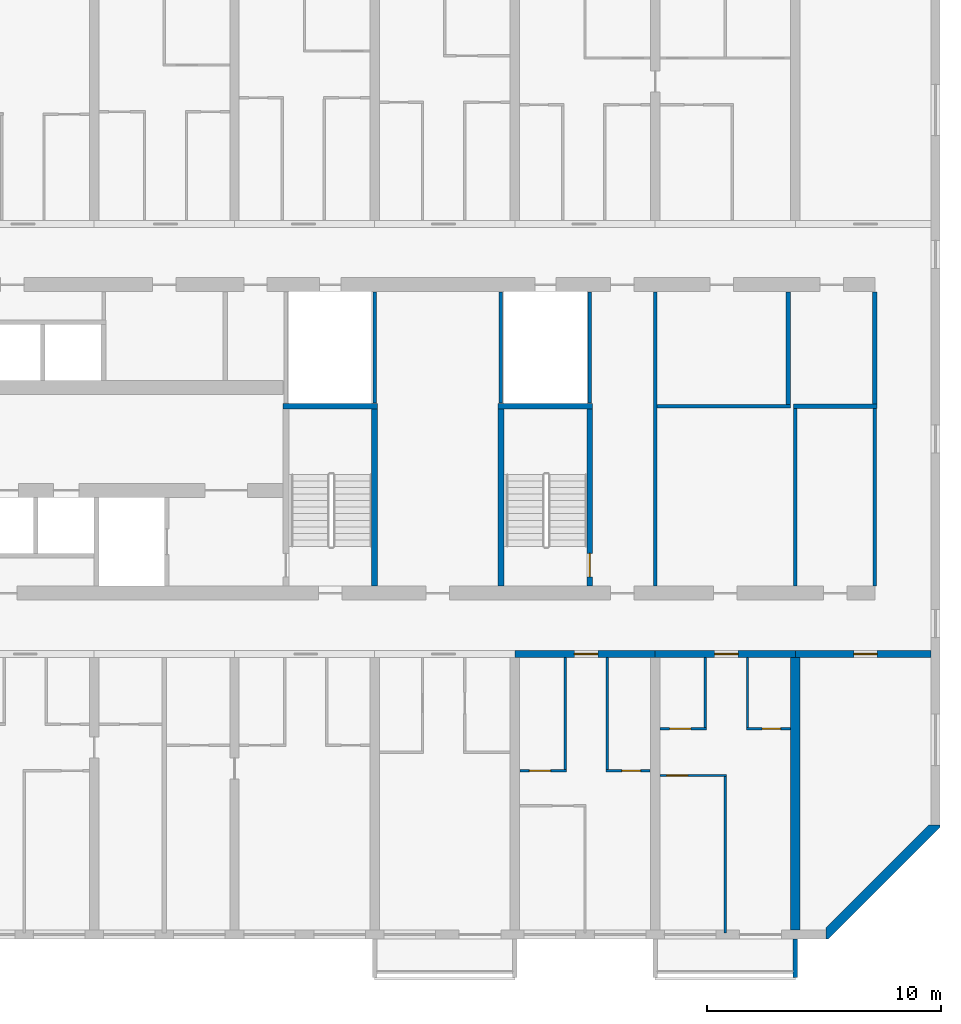
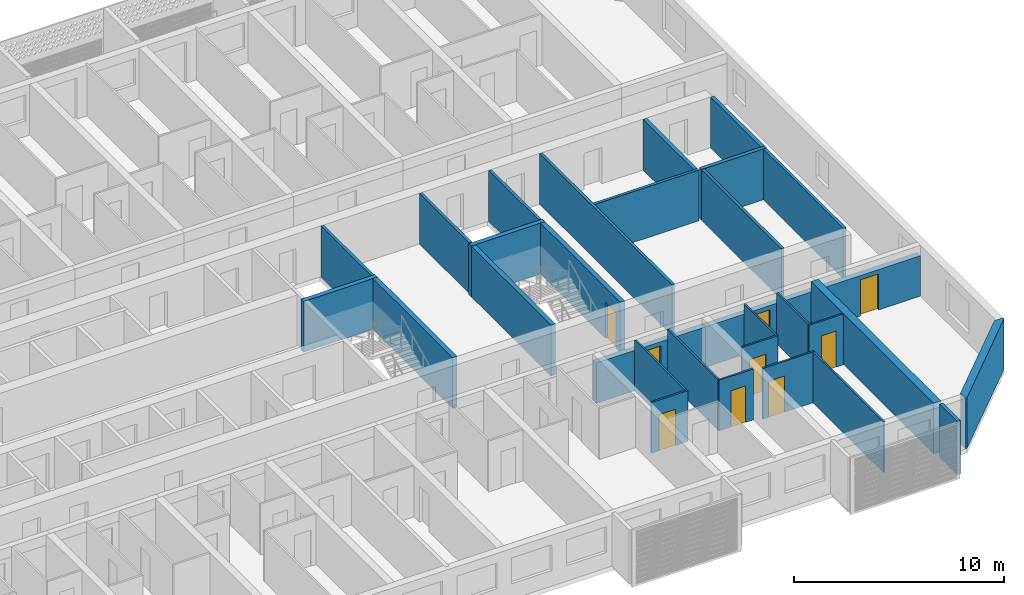
# One storey, part 14 of 39: 31 walls, 9 doors, 9 openings.
"""IFC4 building model written with IfcOpenShell, lengths in metres."""

from ifc_helpers import new_model, si_unit, direction, frame, frame_2d, origin, place, context, subcontext, project, spatial, polyline, rectangle, outline, extrude, source, transform, mapped, material, layer, layer_set, type_object, element, fill, save


model = new_model("IFC4")

# Units and contexts
model_context = context("Model", 3, precision=1e-05, world=origin(), true_north=direction((0.0, 1.0)))
body_context = subcontext(model_context, "Body", "Model", "MODEL_VIEW")
ifc_project = project(units=[si_unit("LENGTHUNIT", "METRE"), si_unit("AREAUNIT", "SQUARE_METRE"), si_unit("VOLUMEUNIT", "CUBIC_METRE"), si_unit("PLANEANGLEUNIT", "RADIAN"), si_unit("MASSUNIT", "GRAM", prefix="KILO")], contexts=[model_context])

# Site, building, storey
site_placement = place(None, origin())
site = spatial("IfcSite", under=ifc_project, at=site_placement, CompositionType="ELEMENT")
building_placement = place(site_placement, origin())
building = spatial("IfcBuilding", under=site, at=building_placement, Name="Poui Terraces", CompositionType="ELEMENT")
storey_placement = place(building_placement, frame((0.0, 0.0, 63.0)))
storey = spatial("IfcBuildingStorey", under=building, at=storey_placement, Name="L17", CompositionType="ELEMENT", Elevation=63.0)

# Walls
ifc_material_1 = material(Name="Fire-rated plasterboard wall")
ifc_layer_1 = layer(ifc_material_1, 0.14990234375)
ifc_layer_set_1 = layer_set([ifc_layer_1], Name="Fire-rated plasterboard wall")
wall_type_1 = type_object("IfcWallType", Name="CORRIDOR WALL 150", PredefinedType="PARTITIONING", material=ifc_layer_set_1)
wall_1_placement = place(storey_placement, frame((84.0, 14.909912109375, 0.0), z_axis=(0.0, 0.0, 1.0), x_axis=(0.0, 1.0, 0.0)))
element("IfcWall", 1, at=wall_1_placement, inside=storey, type_object=wall_type_1, Name="CORRIDOR WALL 150", PredefinedType="PARTITIONING", context=body_context, shape_type="SweptSolid", body=[
    extrude(rectangle(XDim=12.580078125, YDim=0.14990234375, at=frame_2d((6.2900390625, 0.0))), origin(), (0.0, 0.0, 1.0), 2.949951171875),
])
wall_2_placement = place(storey_placement, frame((93.39990234375, 14.909912109375, 0.0), z_axis=(0.0, 0.0, 1.0), x_axis=(0.0, 1.0, 0.0)))
element("IfcWall", 2, at=wall_2_placement, inside=storey, type_object=wall_type_1, Name="CORRIDOR WALL 150", PredefinedType="PARTITIONING", context=body_context, shape_type="SweptSolid", body=[
    extrude(rectangle(XDim=7.590087890625, YDim=0.14990234375, at=frame_2d((3.794921875, 0.0))), origin(), (0.0, 0.0, 1.0), 2.949951171875),
])

# Wall, opening, door
ifc_material_2 = material(Name="Concrete 80 MPa", Category="concrete")
ifc_layer_2 = layer(ifc_material_2, 0.300048828125)
ifc_layer_set_2 = layer_set([ifc_layer_2], Name="Concrete 80 MPa")
wall_type_2 = type_object("IfcWallType", Name="CORRIDOR WALL 300 80MPa", PredefinedType="SHEAR", material=ifc_layer_set_2)
wall_3_placement = place(storey_placement, frame((78.0, 12.0, 0.0), z_axis=(0.0, 0.0, 1.0), x_axis=(1.0, 0.0, 0.0)))
wall_3 = element("IfcWall", 3, at=wall_3_placement, inside=storey, type_object=wall_type_2, Name="CORRIDOR WALL LINE B BAY 13", PredefinedType="SHEAR", context=body_context, shape_type="SweptSolid", body=[
    extrude(rectangle(XDim=6.0, YDim=0.300048828125, at=frame_2d((3.0, 0.0))), origin(), (0.0, 0.0, 1.0), 2.35009765625),
])
opening_1_placement = place(wall_3_placement, frame((2.550048828125, 0.0, 0.0)))
opening_1 = element("IfcOpeningElement", 4, at=opening_1_placement, cuts=wall_3, Name="Opening FD30S", PredefinedType="OPENING", context=body_context, shape_type="SweptSolid", body=[
    extrude(rectangle(XDim=1.0, YDim=2.10009765625, at=frame_2d((0.5, 1.050048828125))), frame((0.0, 0.16015625, 0.0), z_axis=(0.0, -1.0, 0.0), x_axis=(1.0, 0.0, 0.0)), (0.0, 0.0, 1.0), 0.320068359375),
])
ifc_material_3 = material(Name="Steel fire door", Category="steel")
door_type_1 = type_object("IfcDoorType", Name="FLAT ENTRANCE DOOR 1000 X 2100", OperationType="NOTDEFINED", PredefinedType="DOOR", material=ifc_material_3)
door_1_placement = place(opening_1_placement, frame((1.0, 0.0, 0.0), z_axis=(0.0, 0.0, 1.0), x_axis=(-1.0, 0.0, 0.0)))
door_1 = element("IfcDoor", 5, at=door_1_placement, inside=storey, type_object=door_type_1, Name="FLAT ENTRANCE DOOR 128", OperationType="SINGLE_SWING_LEFT", OverallHeight=2.10009765625, OverallWidth=1.0, PredefinedType="DOOR", context=body_context, shape_type="SweptSolid", body=[
    extrude(rectangle(XDim=1.0, YDim=2.10009765625, at=frame_2d((0.5, 1.050048828125))), frame((0.0, 0.02490234375, 0.0), z_axis=(0.0, -1.0, 0.0), x_axis=(1.0, 0.0, 0.0)), (0.0, 0.0, 1.0), 0.050048828125),
])
fill(opening_1, door_1)

wall_4_placement = place(storey_placement, frame((84.0, 12.0, 0.0), z_axis=(0.0, 0.0, 1.0), x_axis=(1.0, 0.0, 0.0)))
wall_4 = element("IfcWall", 6, at=wall_4_placement, inside=storey, type_object=wall_type_2, Name="CORRIDOR WALL LINE B BAY 14", PredefinedType="SHEAR", context=body_context, shape_type="SweptSolid", body=[
    extrude(rectangle(XDim=6.0, YDim=0.300048828125, at=frame_2d((3.0, 0.0))), origin(), (0.0, 0.0, 1.0), 2.35009765625),
])
opening_2_placement = place(wall_4_placement, frame((2.550048828125, 0.0, 0.0)))
opening_2 = element("IfcOpeningElement", 7, at=opening_2_placement, cuts=wall_4, Name="Opening FD30S", PredefinedType="OPENING", context=body_context, shape_type="SweptSolid", body=[
    extrude(rectangle(XDim=1.0, YDim=2.10009765625, at=frame_2d((0.5, 1.050048828125))), frame((0.0, 0.16015625, 0.0), z_axis=(0.0, -1.0, 0.0), x_axis=(1.0, 0.0, 0.0)), (0.0, 0.0, 1.0), 0.320068359375),
])
door_2_placement = place(opening_2_placement, frame((1.0, 0.0, 0.0), z_axis=(0.0, 0.0, 1.0), x_axis=(-1.0, 0.0, 0.0)))
door_2 = element("IfcDoor", 8, at=door_2_placement, inside=storey, type_object=door_type_1, Name="FLAT ENTRANCE DOOR 132", OperationType="SINGLE_SWING_LEFT", OverallHeight=2.10009765625, OverallWidth=1.0, PredefinedType="DOOR", context=body_context, shape_type="SweptSolid", body=[
    extrude(rectangle(XDim=1.0, YDim=2.10009765625, at=frame_2d((0.5, 1.050048828125))), frame((0.0, 0.02490234375, 0.0), z_axis=(0.0, -1.0, 0.0), x_axis=(1.0, 0.0, 0.0)), (0.0, 0.0, 1.0), 0.050048828125),
])
fill(opening_2, door_2)

wall_5_placement = place(storey_placement, frame((90.0, 12.0, 0.0), z_axis=(0.0, 0.0, 1.0), x_axis=(1.0, 0.0, 0.0)))
wall_5 = element("IfcWall", 9, at=wall_5_placement, inside=storey, type_object=wall_type_2, Name="CORRIDOR WALL LINE B BAY 15", PredefinedType="SHEAR", context=body_context, shape_type="SweptSolid", body=[
    extrude(rectangle(XDim=5.800048828125, YDim=0.300048828125, at=frame_2d((2.89990234375, 0.0))), origin(), (0.0, 0.0, 1.0), 2.35009765625),
])
opening_3_placement = place(wall_5_placement, frame((2.5, 0.0, 0.0)))
opening_3 = element("IfcOpeningElement", 10, at=opening_3_placement, cuts=wall_5, Name="Opening D100", PredefinedType="OPENING", context=body_context, shape_type="SweptSolid", body=[
    extrude(rectangle(XDim=1.0, YDim=2.10009765625, at=frame_2d((0.5, 1.050048828125))), frame((0.0, 0.16015625, 0.0), z_axis=(0.0, -1.0, 0.0), x_axis=(1.0, 0.0, 0.0)), (0.0, 0.0, 1.0), 0.320068359375),
])
ifc_material_4 = material(Name="Solid core timber door", Category="wood")
door_type_2 = type_object("IfcDoorType", Name="ACCESSIBLE INTERNAL DOOR 1000 X 2100", OperationType="NOTDEFINED", PredefinedType="DOOR", material=ifc_material_4)
door_3_placement = place(opening_3_placement, frame((1.0, 0.0, 0.0), z_axis=(0.0, 0.0, 1.0), x_axis=(-1.0, 0.0, 0.0)))
door_3 = element("IfcDoor", 11, at=door_3_placement, inside=storey, type_object=door_type_2, Name="ACCESSIBLE INTERNAL DOOR 134", OperationType="SINGLE_SWING_RIGHT", OverallHeight=2.10009765625, OverallWidth=1.0, PredefinedType="DOOR", context=body_context, shape_type="SweptSolid", body=[
    extrude(rectangle(XDim=1.0, YDim=2.10009765625, at=frame_2d((0.5, 1.050048828125))), frame((0.0, 0.02490234375, 0.0), z_axis=(0.0, -1.0, 0.0), x_axis=(1.0, 0.0, 0.0)), (0.0, 0.0, 1.0), 0.050048828125),
])
fill(opening_3, door_3)

# Wall
ifc_layer_3 = layer(ifc_material_2, 0.39990234375)
ifc_layer_set_3 = layer_set([ifc_layer_3], Name="Concrete 80 MPa")
wall_type_3 = type_object("IfcWallType", Name="CROSS WALL 400 80MPa", PredefinedType="SHEAR", material=ifc_layer_set_3)
wall_6_placement = place(storey_placement, frame((90.0, 0.199951171875, 0.0), z_axis=(0.0, 0.0, 1.0), x_axis=(0.0, 1.0, 0.0)))
element("IfcWall", 12, at=wall_6_placement, inside=storey, type_object=wall_type_3, Name="CROSS WALL LINE 16 SOUTH", PredefinedType="SHEAR", context=body_context, shape_type="SweptSolid", body=[
    extrude(rectangle(XDim=11.650146484375, YDim=0.39990234375, at=frame_2d((5.8251953125, 0.0))), origin(), (0.0, 0.0, 1.0), 2.949951171875),
])

# Wall, opening, door
ifc_material_5 = material(Name="Plasterboard partition")
ifc_layer_4 = layer(ifc_material_5, 0.10009765625)
ifc_layer_set_4 = layer_set([ifc_layer_4], Name="Plasterboard partition")
wall_type_4 = type_object("IfcWallType", Name="FLAT PARTITION 100", PredefinedType="PARTITIONING", material=ifc_layer_set_4)
wall_7_placement = place(storey_placement, frame((84.2099609375, 6.800048828125, 0.0), z_axis=(0.0, 0.0, 1.0), x_axis=(1.0, 0.0, 0.0)))
wall_7 = element("IfcWall", 13, at=wall_7_placement, inside=storey, type_object=wall_type_4, Name="FLAT PARTITION 100", PredefinedType="PARTITIONING", context=body_context, shape_type="SweptSolid", body=[
    extrude(rectangle(XDim=2.840087890625, YDim=0.10009765625, at=frame_2d((1.419921875, 0.0))), origin(), (0.0, 0.0, 1.0), 2.949951171875),
])
opening_4_placement = place(wall_7_placement, frame((0.2900390625, 0.0, 0.0)))
opening_4 = element("IfcOpeningElement", 14, at=opening_4_placement, cuts=wall_7, Name="Opening D90", PredefinedType="OPENING", context=body_context, shape_type="SweptSolid", body=[
    extrude(rectangle(XDim=0.89990234375, YDim=2.10009765625, at=frame_2d((0.449951171875, 1.050048828125))), frame((0.0, 0.06005859375, 0.0), z_axis=(0.0, -1.0, 0.0), x_axis=(1.0, 0.0, 0.0)), (0.0, 0.0, 1.0), 0.1201171875),
])
door_type_3 = type_object("IfcDoorType", Name="INTERNAL DOOR 900 X 2100", OperationType="NOTDEFINED", PredefinedType="DOOR", material=ifc_material_4)
door_4_placement = place(opening_4_placement, origin())
door_4 = element("IfcDoor", 15, at=door_4_placement, inside=storey, type_object=door_type_3, Name="INTERNAL DOOR 130", OperationType="SINGLE_SWING_RIGHT", OverallHeight=2.10009765625, OverallWidth=0.89990234375, PredefinedType="DOOR", context=body_context, shape_type="SweptSolid", body=[
    extrude(rectangle(XDim=0.89990234375, YDim=2.10009765625, at=frame_2d((0.449951171875, 1.050048828125))), frame((0.0, 0.02490234375, 0.0), z_axis=(0.0, -1.0, 0.0), x_axis=(1.0, 0.0, 0.0)), (0.0, 0.0, 1.0), 0.050048828125),
])
fill(opening_4, door_4)

wall_8_placement = place(storey_placement, frame((78.2099609375, 7.0, 0.0), z_axis=(0.0, 0.0, 1.0), x_axis=(1.0, 0.0, 0.0)))
wall_8 = element("IfcWall", 16, at=wall_8_placement, inside=storey, type_object=wall_type_4, Name="FLAT PARTITION 100", PredefinedType="PARTITIONING", context=body_context, shape_type="SweptSolid", body=[
    extrude(rectangle(XDim=1.989990234375, YDim=0.10009765625, at=frame_2d((0.9951171875, 0.0))), origin(), (0.0, 0.0, 1.0), 2.949951171875),
])
opening_5_placement = place(wall_8_placement, frame((0.4150390625, 0.0, 0.0)))
opening_5 = element("IfcOpeningElement", 17, at=opening_5_placement, cuts=wall_8, Name="Opening D90", PredefinedType="OPENING", context=body_context, shape_type="SweptSolid", body=[
    extrude(rectangle(XDim=0.89990234375, YDim=2.10009765625, at=frame_2d((0.449951171875, 1.050048828125))), frame((0.0, 0.06005859375, 0.0), z_axis=(0.0, -1.0, 0.0), x_axis=(1.0, 0.0, 0.0)), (0.0, 0.0, 1.0), 0.1201171875),
])
door_5_placement = place(opening_5_placement, origin())
door_5 = element("IfcDoor", 18, at=door_5_placement, inside=storey, type_object=door_type_3, Name="INTERNAL DOOR 126", OperationType="SINGLE_SWING_RIGHT", OverallHeight=2.10009765625, OverallWidth=0.89990234375, PredefinedType="DOOR", context=body_context, shape_type="SweptSolid", body=[
    extrude(rectangle(XDim=0.89990234375, YDim=2.10009765625, at=frame_2d((0.449951171875, 1.050048828125))), frame((0.0, 0.02490234375, 0.0), z_axis=(0.0, -1.0, 0.0), x_axis=(1.0, 0.0, 0.0)), (0.0, 0.0, 1.0), 0.050048828125),
])
fill(opening_5, door_5)

wall_9_placement = place(storey_placement, frame((81.89990234375, 7.0, 0.0), z_axis=(0.0, 0.0, 1.0), x_axis=(1.0, 0.0, 0.0)))
wall_9 = element("IfcWall", 19, at=wall_9_placement, inside=storey, type_object=wall_type_4, Name="FLAT PARTITION 100", PredefinedType="PARTITIONING", context=body_context, shape_type="SweptSolid", body=[
    extrude(rectangle(XDim=1.89013671875, YDim=0.10009765625, at=frame_2d((0.945068359375, 0.0))), origin(), (0.0, 0.0, 1.0), 2.949951171875),
])
opening_6_placement = place(wall_9_placement, frame((0.675048828125, 0.0, 0.0)))
opening_6 = element("IfcOpeningElement", 20, at=opening_6_placement, cuts=wall_9, Name="Opening D80", PredefinedType="OPENING", context=body_context, shape_type="SweptSolid", body=[
    extrude(rectangle(XDim=0.800048828125, YDim=2.10009765625, at=frame_2d((0.39990234375, 1.050048828125))), frame((0.0, 0.06005859375, 0.0), z_axis=(0.0, -1.0, 0.0), x_axis=(1.0, 0.0, 0.0)), (0.0, 0.0, 1.0), 0.1201171875),
])
door_type_4 = type_object("IfcDoorType", Name="BATHROOM, LAUNDRY AND STORE DOOR 800 X 2100", OperationType="NOTDEFINED", PredefinedType="DOOR", material=ifc_material_4)
door_6_placement = place(opening_6_placement, origin())
door_6 = element("IfcDoor", 21, at=door_6_placement, inside=storey, type_object=door_type_4, Name="BATHROOM, LAUNDRY AND STORE DOOR 129", OperationType="SINGLE_SWING_LEFT", OverallHeight=2.10009765625, OverallWidth=0.800048828125, PredefinedType="DOOR", context=body_context, shape_type="SweptSolid", body=[
    extrude(rectangle(XDim=0.800048828125, YDim=2.10009765625, at=frame_2d((0.39990234375, 1.050048828125))), frame((0.0, 0.02490234375, 0.0), z_axis=(0.0, -1.0, 0.0), x_axis=(1.0, 0.0, 0.0)), (0.0, 0.0, 1.0), 0.050048828125),
])
fill(opening_6, door_6)

wall_10_placement = place(storey_placement, frame((84.2099609375, 8.800048828125, 0.0), z_axis=(0.0, 0.0, 1.0), x_axis=(1.0, 0.0, 0.0)))
wall_10 = element("IfcWall", 22, at=wall_10_placement, inside=storey, type_object=wall_type_4, Name="FLAT PARTITION 100", PredefinedType="PARTITIONING", context=body_context, shape_type="SweptSolid", body=[
    extrude(rectangle(XDim=1.989990234375, YDim=0.10009765625, at=frame_2d((0.9951171875, 0.0))), origin(), (0.0, 0.0, 1.0), 2.949951171875),
])
opening_7_placement = place(wall_10_placement, frame((0.4150390625, 0.0, 0.0)))
opening_7 = element("IfcOpeningElement", 23, at=opening_7_placement, cuts=wall_10, Name="Opening D90", PredefinedType="OPENING", context=body_context, shape_type="SweptSolid", body=[
    extrude(rectangle(XDim=0.89990234375, YDim=2.10009765625, at=frame_2d((0.449951171875, 1.050048828125))), frame((0.0, 0.06005859375, 0.0), z_axis=(0.0, -1.0, 0.0), x_axis=(1.0, 0.0, 0.0)), (0.0, 0.0, 1.0), 0.1201171875),
])
door_7_placement = place(opening_7_placement, origin())
door_7 = element("IfcDoor", 24, at=door_7_placement, inside=storey, type_object=door_type_3, Name="INTERNAL DOOR 131", OperationType="SINGLE_SWING_LEFT", OverallHeight=2.10009765625, OverallWidth=0.89990234375, PredefinedType="DOOR", context=body_context, shape_type="SweptSolid", body=[
    extrude(rectangle(XDim=0.89990234375, YDim=2.10009765625, at=frame_2d((0.449951171875, 1.050048828125))), frame((0.0, 0.02490234375, 0.0), z_axis=(0.0, -1.0, 0.0), x_axis=(1.0, 0.0, 0.0)), (0.0, 0.0, 1.0), 0.050048828125),
])
fill(opening_7, door_7)

wall_11_placement = place(storey_placement, frame((87.89990234375, 8.800048828125, 0.0), z_axis=(0.0, 0.0, 1.0), x_axis=(1.0, 0.0, 0.0)))
wall_11 = element("IfcWall", 25, at=wall_11_placement, inside=storey, type_object=wall_type_4, Name="FLAT PARTITION 100", PredefinedType="PARTITIONING", context=body_context, shape_type="SweptSolid", body=[
    extrude(rectangle(XDim=1.89013671875, YDim=0.10009765625, at=frame_2d((0.945068359375, 0.0))), origin(), (0.0, 0.0, 1.0), 2.949951171875),
])
opening_8_placement = place(wall_11_placement, frame((0.675048828125, 0.0, 0.0)))
opening_8 = element("IfcOpeningElement", 26, at=opening_8_placement, cuts=wall_11, Name="Opening D80", PredefinedType="OPENING", context=body_context, shape_type="SweptSolid", body=[
    extrude(rectangle(XDim=0.800048828125, YDim=2.10009765625, at=frame_2d((0.39990234375, 1.050048828125))), frame((0.0, 0.06005859375, 0.0), z_axis=(0.0, -1.0, 0.0), x_axis=(1.0, 0.0, 0.0)), (0.0, 0.0, 1.0), 0.1201171875),
])
door_8_placement = place(opening_8_placement, origin())
door_8 = element("IfcDoor", 27, at=door_8_placement, inside=storey, type_object=door_type_4, Name="BATHROOM, LAUNDRY AND STORE DOOR 133", OperationType="SINGLE_SWING_RIGHT", OverallHeight=2.10009765625, OverallWidth=0.800048828125, PredefinedType="DOOR", context=body_context, shape_type="SweptSolid", body=[
    extrude(rectangle(XDim=0.800048828125, YDim=2.10009765625, at=frame_2d((0.39990234375, 1.050048828125))), frame((0.0, 0.02490234375, 0.0), z_axis=(0.0, -1.0, 0.0), x_axis=(1.0, 0.0, 0.0)), (0.0, 0.0, 1.0), 0.050048828125),
])
fill(opening_8, door_8)

# Walls
for number, where, z_axis, x_axis, name in (
    (28, (80.14990234375, 7.050048828125, 0.0), (0.0, 0.0, 1.0), (0.0, 1.0, 0.0), "FLAT PARTITION 100"),
    (29, (81.949951171875, 7.050048828125, 0.0), (0.0, 0.0, 1.0), (0.0, 1.0, 0.0), "FLAT PARTITION 100"),
):
    element("IfcWall", number, at=place(storey_placement, frame(where, z_axis=z_axis, x_axis=x_axis)), inside=storey, type_object=wall_type_4, Name=name, PredefinedType="PARTITIONING", context=body_context, shape_type="SweptSolid", body=[
        extrude(rectangle(XDim=4.7900390625, YDim=0.10009765625, at=frame_2d((2.39501953125, 0.0))), origin(), (0.0, 0.0, 1.0), 2.949951171875),
    ])
wall_12_placement = place(storey_placement, frame((86.14990234375, 8.85009765625, 0.0), z_axis=(0.0, 0.0, 1.0), x_axis=(0.0, 1.0, 0.0)))
element("IfcWall", 30, at=wall_12_placement, inside=storey, type_object=wall_type_4, Name="FLAT PARTITION 100", PredefinedType="PARTITIONING", context=body_context, shape_type="SweptSolid", body=[
    extrude(rectangle(XDim=2.989990234375, YDim=0.10009765625, at=frame_2d((1.4951171875, 0.0))), origin(), (0.0, 0.0, 1.0), 2.949951171875),
])
wall_13_placement = place(storey_placement, frame((87.0, 0.06005859375, 0.0), z_axis=(0.0, 0.0, 1.0), x_axis=(0.0, 1.0, 0.0)))
element("IfcWall", 31, at=wall_13_placement, inside=storey, type_object=wall_type_4, Name="FLAT PARTITION 100", PredefinedType="PARTITIONING", context=body_context, shape_type="SweptSolid", body=[
    extrude(rectangle(XDim=6.68994140625, YDim=0.10009765625, at=frame_2d((3.344970703125, 0.0))), origin(), (0.0, 0.0, 1.0), 2.949951171875),
])
wall_14_placement = place(storey_placement, frame((87.949951171875, 8.85009765625, 0.0), z_axis=(0.0, 0.0, 1.0), x_axis=(0.0, 1.0, 0.0)))
element("IfcWall", 32, at=wall_14_placement, inside=storey, type_object=wall_type_4, Name="FLAT PARTITION 100", PredefinedType="PARTITIONING", context=body_context, shape_type="SweptSolid", body=[
    extrude(rectangle(XDim=2.989990234375, YDim=0.10009765625, at=frame_2d((1.4951171875, 0.0))), origin(), (0.0, 0.0, 1.0), 2.949951171875),
])
ifc_layer_5 = layer(ifc_material_5, 0.14990234375)
ifc_layer_set_5 = layer_set([ifc_layer_5], Name="Plasterboard partition")
wall_type_5 = type_object("IfcWallType", Name="PARTITION WALL 150", PredefinedType="PARTITIONING", material=ifc_layer_set_5)
wall_15_placement = place(storey_placement, frame((84.074951171875, 22.60009765625, 0.0), z_axis=(0.0, 0.0, 1.0), x_axis=(1.0, 0.0, 0.0)))
element("IfcWall", 33, at=wall_15_placement, inside=storey, type_object=wall_type_5, Name="PARTITION WALL 150", PredefinedType="PARTITIONING", context=body_context, shape_type="SweptSolid", body=[
    extrude(rectangle(XDim=5.72509765625, YDim=0.14990234375, at=frame_2d((2.862548828125, 0.0))), origin(), (0.0, 0.0, 1.0), 2.949951171875),
])
wall_16_placement = place(storey_placement, frame((90.0, 14.909912109375, 0.0), z_axis=(0.0, 0.0, 1.0), x_axis=(0.0, 1.0, 0.0)))
element("IfcWall", 34, at=wall_16_placement, inside=storey, type_object=wall_type_5, Name="PARTITION WALL 150", PredefinedType="PARTITIONING", context=body_context, shape_type="SweptSolid", body=[
    extrude(rectangle(XDim=7.590087890625, YDim=0.14990234375, at=frame_2d((3.794921875, 0.0))), origin(), (0.0, 0.0, 1.0), 2.949951171875),
])
ifc_material_6 = material(Name="Fire-rated masonry wall", Category="masonry")
ifc_layer_6 = layer(ifc_material_6, 0.199951171875)
ifc_layer_set_6 = layer_set([ifc_layer_6], Name="Fire-rated masonry wall")
wall_type_6 = type_object("IfcWallType", Name="PLANT ROOM WALL 200", PredefinedType="PARTITIONING", material=ifc_layer_set_6)
wall_17_placement = place(storey_placement, frame((89.925048828125, 22.60009765625, 0.0), z_axis=(0.0, 0.0, 1.0), x_axis=(1.0, 0.0, 0.0)))
element("IfcWall", 35, at=wall_17_placement, inside=storey, type_object=wall_type_6, Name="PLANT ROOM WALL 200", PredefinedType="PARTITIONING", context=body_context, shape_type="SweptSolid", body=[
    extrude(rectangle(XDim=3.574951171875, YDim=0.199951171875, at=frame_2d((1.78759765625, 0.0))), origin(), (0.0, 0.0, 1.0), 2.949951171875),
])
wall_18_placement = place(storey_placement, frame((89.699951171875, 22.675048828125, 0.0), z_axis=(0.0, 0.0, 1.0), x_axis=(0.0, 1.0, 0.0)))
element("IfcWall", 36, at=wall_18_placement, inside=storey, type_object=wall_type_6, Name="PLANT ROOM WALL 200", PredefinedType="PARTITIONING", context=body_context, shape_type="SweptSolid", body=[
    extrude(rectangle(XDim=4.81494140625, YDim=0.199951171875, at=frame_2d((2.407470703125, 0.0))), origin(), (0.0, 0.0, 1.0), 2.949951171875),
])
wall_19_placement = place(storey_placement, frame((93.39990234375, 22.699951171875, 0.0), z_axis=(0.0, 0.0, 1.0), x_axis=(0.0, 1.0, 0.0)))
element("IfcWall", 37, at=wall_19_placement, inside=storey, type_object=wall_type_6, Name="PLANT ROOM WALL 200", PredefinedType="PARTITIONING", context=body_context, shape_type="SweptSolid", body=[
    extrude(rectangle(XDim=4.7900390625, YDim=0.199951171875, at=frame_2d((2.39501953125, 0.0))), origin(), (0.0, 0.0, 1.0), 2.949951171875),
])
ifc_material_7 = material(Name="Fire-rated plasterboard riser wall")
ifc_layer_7 = layer(ifc_material_7, 0.14990234375)
ifc_layer_set_7 = layer_set([ifc_layer_7], Name="Fire-rated plasterboard riser wall")
wall_type_7 = type_object("IfcWallType", Name="RISER WALL 150", PredefinedType="PARTITIONING", material=ifc_layer_set_7)
for number, where, z_axis, x_axis, name in (
    (38, (72.0, 22.735107421875, 0.0), (0.0, 0.0, 1.0), (0.0, 1.0, 0.0), "RISER WALL 150"),
    (39, (77.39990234375, 22.735107421875, 0.0), (0.0, 0.0, 1.0), (0.0, 1.0, 0.0), "RISER WALL 150"),
    (40, (81.199951171875, 22.735107421875, 0.0), (0.0, 0.0, 1.0), (0.0, 1.0, 0.0), "RISER WALL 150"),
):
    element("IfcWall", number, at=place(storey_placement, frame(where, z_axis=z_axis, x_axis=x_axis)), inside=storey, type_object=wall_type_7, Name=name, PredefinedType="PARTITIONING", context=body_context, shape_type="SweptSolid", body=[
        extrude(rectangle(XDim=4.7548828125, YDim=0.14990234375, at=frame_2d((2.37744140625, 0.0))), origin(), (0.0, 0.0, 1.0), 2.949951171875),
    ])
ifc_layer_8 = layer(ifc_material_2, 0.25)
ifc_layer_set_8 = layer_set([ifc_layer_8], Name="Concrete 80 MPa")
wall_type_8 = type_object("IfcWallType", Name="STAIR CORE WALL 250 80 MPA", PredefinedType="SOLIDWALL", material=ifc_layer_set_8)
wall_20_placement = place(storey_placement, frame((72.0, 14.89990234375, 0.0), z_axis=(0.0, 0.0, 1.0), x_axis=(0.0, 1.0, 0.0)))
element("IfcWall", 41, at=wall_20_placement, inside=storey, type_object=wall_type_8, Name="STAIR CORE WALL", PredefinedType="SOLIDWALL", context=body_context, shape_type="SweptSolid", body=[
    extrude(rectangle(XDim=7.5751953125, YDim=0.25, at=frame_2d((3.78759765625, 0.0))), origin(), (0.0, 0.0, 1.0), 2.949951171875),
])
wall_21_placement = place(storey_placement, frame((68.074951171875, 22.60009765625, 0.0), z_axis=(0.0, 0.0, 1.0), x_axis=(1.0, 0.0, 0.0)))
element("IfcWall", 42, at=wall_21_placement, inside=storey, type_object=wall_type_8, Name="STAIR CORE WALL", PredefinedType="SOLIDWALL", context=body_context, shape_type="SweptSolid", body=[
    extrude(rectangle(XDim=4.050048828125, YDim=0.25, at=frame_2d((2.02490234375, 0.0))), origin(), (0.0, 0.0, 1.0), 2.949951171875),
])
wall_22_placement = place(storey_placement, frame((77.39990234375, 14.89990234375, 0.0), z_axis=(0.0, 0.0, 1.0), x_axis=(0.0, 1.0, 0.0)))
element("IfcWall", 43, at=wall_22_placement, inside=storey, type_object=wall_type_8, Name="STAIR CORE WALL", PredefinedType="SOLIDWALL", context=body_context, shape_type="SweptSolid", body=[
    extrude(rectangle(XDim=7.5751953125, YDim=0.25, at=frame_2d((3.78759765625, 0.0))), origin(), (0.0, 0.0, 1.0), 2.949951171875),
])

# Wall, opening, door
wall_23_placement = place(storey_placement, frame((81.199951171875, 14.89990234375, 0.0), z_axis=(0.0, 0.0, 1.0), x_axis=(0.0, 1.0, 0.0)))
wall_23 = element("IfcWall", 44, at=wall_23_placement, inside=storey, type_object=wall_type_8, Name="STAIR CORE WALL", PredefinedType="SOLIDWALL", context=body_context, shape_type="SweptSolid", body=[
    extrude(rectangle(XDim=7.5751953125, YDim=0.25, at=frame_2d((3.78759765625, 0.0))), origin(), (0.0, 0.0, 1.0), 2.949951171875),
])
opening_9_placement = place(wall_23_placement, frame((0.39990234375, 0.0, 0.0)))
opening_9 = element("IfcOpeningElement", 45, at=opening_9_placement, cuts=wall_23, Name="Opening FD60S", PredefinedType="OPENING", context=body_context, shape_type="SweptSolid", body=[
    extrude(rectangle(XDim=1.0, YDim=2.10009765625, at=frame_2d((0.5, 1.050048828125))), frame((0.0, 0.135009765625, 0.0), z_axis=(0.0, -1.0, 0.0), x_axis=(1.0, 0.0, 0.0)), (0.0, 0.0, 1.0), 0.27001953125),
])
door_type_5 = type_object("IfcDoorType", Name="STAIR DOOR 1000 X 2100", OperationType="NOTDEFINED", PredefinedType="DOOR", material=ifc_material_3)
door_9_placement = place(opening_9_placement, origin())
door_9 = element("IfcDoor", 46, at=door_9_placement, inside=storey, type_object=door_type_5, Name="STAIR DOOR 150", OperationType="SINGLE_SWING_LEFT", OverallHeight=2.10009765625, OverallWidth=1.0, PredefinedType="DOOR", context=body_context, shape_type="SweptSolid", body=[
    extrude(rectangle(XDim=1.0, YDim=2.10009765625, at=frame_2d((0.5, 1.050048828125))), frame((0.0, 0.02490234375, 0.0), z_axis=(0.0, -1.0, 0.0), x_axis=(1.0, 0.0, 0.0)), (0.0, 0.0, 1.0), 0.050048828125),
])
fill(opening_9, door_9)

# Walls
wall_24_placement = place(storey_placement, frame((77.27490234375, 22.60009765625, 0.0), z_axis=(0.0, 0.0, 1.0), x_axis=(1.0, 0.0, 0.0)))
element("IfcWall", 47, at=wall_24_placement, inside=storey, type_object=wall_type_8, Name="STAIR CORE WALL", PredefinedType="SOLIDWALL", context=body_context, shape_type="SweptSolid", body=[
    extrude(rectangle(XDim=4.050048828125, YDim=0.25, at=frame_2d((2.02490234375, 0.0))), origin(), (0.0, 0.0, 1.0), 2.949951171875),
])
ifc_material_8 = material(Name="Precast concrete 40 MPa", Category="concrete")
ifc_layer_9 = layer(ifc_material_8, 0.39990234375)
ifc_layer_set_9 = layer_set([ifc_layer_9], Name="Precast concrete 40 MPa")
wall_type_9 = type_object("IfcWallType", Name="TERRACOTTA CLAD CHAMFER WALL 400", PredefinedType="STANDARD", material=ifc_layer_set_9)
wall_25_placement = place(storey_placement, origin())
element("IfcWall", 48, at=wall_25_placement, inside=storey, type_object=wall_type_9, Name="CHAMFER WALL CH01", PredefinedType="STANDARD", context=body_context, shape_type="SweptSolid", body=[
    extrude(outline(polyline([(91.317138671875, -0.199951171875), (91.39990234375, -0.199951171875), (96.199951171875, 4.60009765625), (96.199951171875, 4.682861328125), (95.71728515625, 4.682861328125), (91.317138671875, 0.28271484375), (91.317138671875, -0.199951171875)])), origin(), (0.0, 0.0, 1.0), 2.949951171875),
])
ifc_layer_10 = layer(ifc_material_8, 0.199951171875)
ifc_layer_set_10 = layer_set([ifc_layer_10], Name="Precast concrete 40 MPa")
wall_type_10 = type_object("IfcWallType", Name="REAR FIN 200", PredefinedType="STANDARD", material=ifc_layer_set_10)
shared_shape = source(origin(), body_context, "Body", "SweptSolid", [
    extrude(outline(polyline([(0.0, 0.0), (0.2001953125, 0.0), (0.2001953125, 1.650146484375), (0.0, 1.650146484375), (0.0, 0.0)])), origin(), (0.0, 0.0, 1.0), 3.10009765625),
])
wall_26_placement = place(storey_placement, frame((89.89990234375, -1.85009765625, 0.0)))
element("IfcWall", 49, at=wall_26_placement, inside=storey, type_object=wall_type_10, Name="REAR FIN", PredefinedType="STANDARD", context=body_context, shape_type="MappedRepresentation", body=[
    mapped(shared_shape, transform((0.0, 0.0, 0.0))),
])

save(model, "model.ifc")
